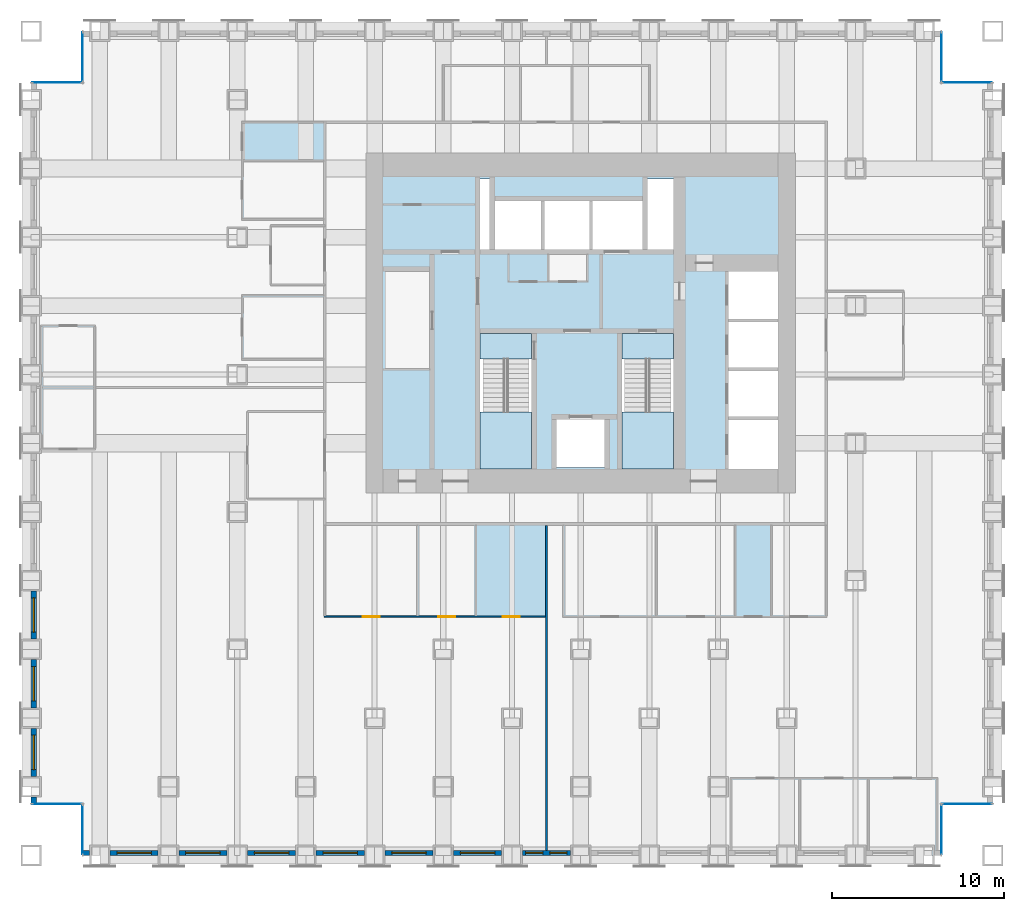
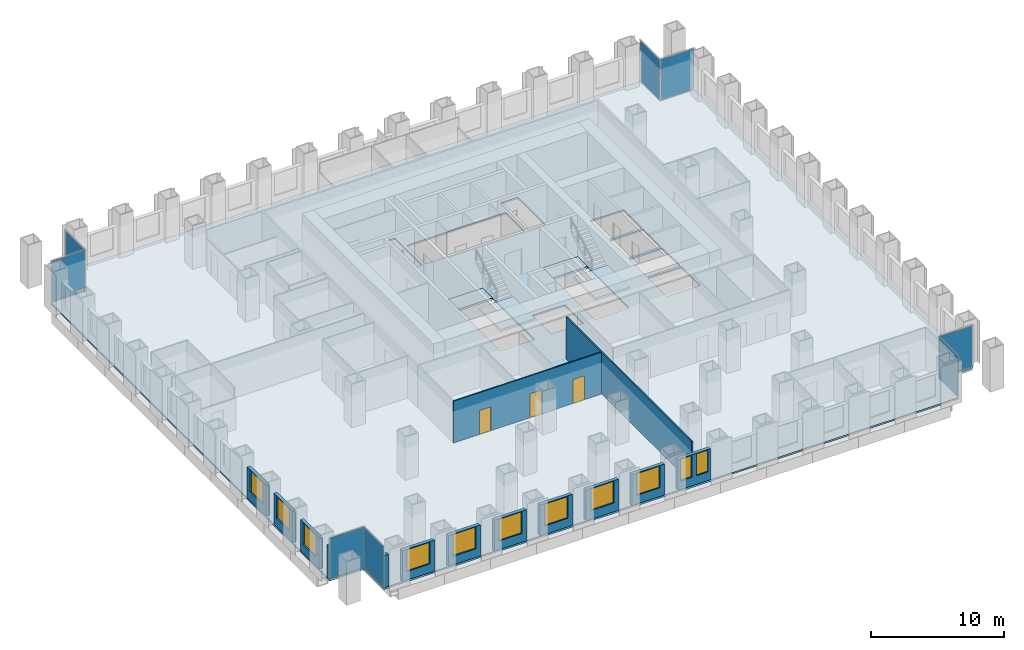
# One storey, part 8 of 15: 14 walls, 11 windows, 8 plates, 5 slabs, 3 doors, 14 openings, 10 elements without a shape of their own.
"""IFC4 building model written with IfcOpenShell, lengths in metres."""

from ifc_helpers import new_model, si_unit, direction, frame, frame_2d, origin, origin_2d, place, context, subcontext, project, spatial, polyline, rectangle, outline, extrude, material, layer, layer_set, type_object, element, fill, aggregate, save


model = new_model("IFC4")

# Units and contexts
model_context = context("Model", 3, precision=1e-05, world=origin(), true_north=direction((0.0, 1.0)))
body_context = subcontext(model_context, "Body", "Model", "MODEL_VIEW")
ifc_project = project(units=[si_unit("LENGTHUNIT", "METRE"), si_unit("AREAUNIT", "SQUARE_METRE"), si_unit("VOLUMEUNIT", "CUBIC_METRE"), si_unit("PLANEANGLEUNIT", "RADIAN"), si_unit("MASSUNIT", "GRAM", prefix="KILO")], contexts=[model_context])

# Site, building, storey
site_placement = place(None, origin())
site = spatial("IfcSite", under=ifc_project, at=site_placement, CompositionType="ELEMENT")
building_placement = place(site_placement, origin())
building = spatial("IfcBuilding", under=site, at=building_placement, Name="Rimbunsela Tower", CompositionType="ELEMENT")
storey_placement = place(building_placement, frame((0.0, 0.0, 31.0)))
storey = spatial("IfcBuildingStorey", under=building, at=storey_placement, Name="L07", CompositionType="ELEMENT", Elevation=31.0)

# Slab
ifc_material_1 = material(Name="Concrete fc' 35 MPa", Category="concrete")
ifc_layer_1 = layer(ifc_material_1, 0.14990234375)
ifc_layer_set_1 = layer_set([ifc_layer_1], Name="Floor slab 150")
slab_type_1 = type_object("IfcSlabType", Name="Floor slab 150", PredefinedType="FLOOR", material=ifc_layer_set_1)
slab_1_placement = place(storey_placement, frame((0.0, 0.0, -0.14990234375)))
element("IfcSlab", 1, at=slab_1_placement, inside=storey, type_object=slab_type_1, Name="Floor slab L07", PredefinedType="FLOOR", context=body_context, shape_type="SweptSolid", body=[
    extrude(outline(polyline([(1.0, -4.0), (51.0, -4.0), (51.0, -1.0), (54.0, -1.0), (54.0, 41.0), (51.0, 41.0), (51.0, 44.0), (1.0, 44.0), (1.0, 41.0), (-2.0, 41.0), (-2.0, -1.0), (1.0, -1.0), (1.0, -4.0)]), holes=[polyline([(27.14990234375, 18.60009765625), (27.14990234375, 26.39990234375), (24.14990234375, 26.39990234375), (24.14990234375, 18.60009765625), (27.14990234375, 18.60009765625)]), polyline([(24.699951171875, 31.300048828125), (24.699951171875, 35.39990234375), (24.14990234375, 35.39990234375), (24.14990234375, 31.300048828125), (24.699951171875, 31.300048828125)]), polyline([(25.0, 34.10009765625), (25.0, 31.300048828125), (33.60009765625, 31.300048828125), (33.60009765625, 34.10009765625), (25.0, 34.10009765625)]), polyline([(31.39990234375, 21.39990234375), (28.60009765625, 21.39990234375), (28.60009765625, 18.60009765625), (31.39990234375, 18.60009765625), (31.39990234375, 21.39990234375)]), polyline([(35.39990234375, 18.60009765625), (35.39990234375, 26.39990234375), (32.39990234375, 26.39990234375), (32.39990234375, 18.60009765625), (35.39990234375, 18.60009765625)]), polyline([(35.39990234375, 31.300048828125), (35.39990234375, 35.39990234375), (33.89990234375, 35.39990234375), (33.89990234375, 31.300048828125), (35.39990234375, 31.300048828125)]), polyline([(41.5, 21.35009765625), (38.60009765625, 21.35009765625), (38.60009765625, 18.5), (41.5, 18.5), (41.5, 21.35009765625)]), polyline([(41.5, 21.550048828125), (41.5, 24.199951171875), (38.60009765625, 24.199951171875), (38.60009765625, 21.550048828125), (41.5, 21.550048828125)]), polyline([(41.5, 27.050048828125), (38.60009765625, 27.050048828125), (38.60009765625, 24.39990234375), (41.5, 24.39990234375), (41.5, 27.050048828125)]), polyline([(41.5, 27.25), (41.5, 30.0), (38.60009765625, 30.0), (38.60009765625, 27.25), (41.5, 27.25)])]), origin(), (0.0, 0.0, 1.0), 0.14990234375),
])

# Curtain wall, plate
ifc_material_2 = material(Name="Aluminium curtain wall", Category="aluminium")
curtain_wall_type = type_object("IfcCurtainWallType", Name="Corner glazing", PredefinedType="USERDEFINED", material=ifc_material_2)
curtain_wall_1_placement = place(storey_placement, origin())
curtain_wall_1 = element("IfcCurtainWall", 2, at=curtain_wall_1_placement, inside=storey, type_object=curtain_wall_type, Name="Corner glazing L07", ObjectType="CORNER GLAZING", PredefinedType="USERDEFINED")
ifc_material_3 = material(Name="Clear double glazing", Category="glass")
ifc_layer_2 = layer(ifc_material_3, 0.028076171875)
ifc_layer_set_2 = layer_set([ifc_layer_2], Name="Glazed panel clear")
plate_type = type_object("IfcPlateType", Name="Glazed panel clear", PredefinedType="CURTAIN_PANEL", material=ifc_layer_set_2)
plate_1_placement = place(storey_placement, frame((51.0, -2.5, 0.06005859375), z_axis=(0.0, 0.0, 1.0), x_axis=(0.0, 1.0, 0.0)))
plate_1 = element("IfcPlate", 3, at=plate_1_placement, type_object=plate_type, Name="CW5 panel 1.1", PredefinedType="CURTAIN_PANEL", context=body_context, shape_type="SweptSolid", body=[
    extrude(rectangle(XDim=2.8798828125, YDim=0.028076171875, at=origin_2d()), origin(), (0.0, 0.0, 1.0), 3.72998046875),
])
aggregate(curtain_wall_1, [plate_1])

curtain_wall_2_placement = place(storey_placement, origin())
curtain_wall_2 = element("IfcCurtainWall", 4, at=curtain_wall_2_placement, inside=storey, type_object=curtain_wall_type, Name="Corner glazing L07", ObjectType="CORNER GLAZING", PredefinedType="USERDEFINED")
plate_2_placement = place(storey_placement, frame((52.5, -1.0, 0.06005859375), z_axis=(0.0, 0.0, 1.0), x_axis=(1.0, 0.0, 0.0)))
plate_2 = element("IfcPlate", 5, at=plate_2_placement, type_object=plate_type, Name="CW5 panel 1.1", PredefinedType="CURTAIN_PANEL", context=body_context, shape_type="SweptSolid", body=[
    extrude(rectangle(XDim=2.8798828125, YDim=0.028076171875, at=origin_2d()), origin(), (0.0, 0.0, 1.0), 3.72998046875),
])
aggregate(curtain_wall_2, [plate_2])

curtain_wall_3_placement = place(storey_placement, origin())
curtain_wall_3 = element("IfcCurtainWall", 6, at=curtain_wall_3_placement, inside=storey, type_object=curtain_wall_type, Name="Corner glazing L07", ObjectType="CORNER GLAZING", PredefinedType="USERDEFINED")
plate_3_placement = place(storey_placement, frame((52.5, 41.0, 0.06005859375), z_axis=(0.0, 0.0, 1.0), x_axis=(-1.0, 0.0, 0.0)))
plate_3 = element("IfcPlate", 7, at=plate_3_placement, type_object=plate_type, Name="CW5 panel 1.1", PredefinedType="CURTAIN_PANEL", context=body_context, shape_type="SweptSolid", body=[
    extrude(rectangle(XDim=2.8798828125, YDim=0.028076171875, at=origin_2d()), origin(), (0.0, 0.0, 1.0), 3.72998046875),
])
aggregate(curtain_wall_3, [plate_3])

curtain_wall_4_placement = place(storey_placement, origin())
curtain_wall_4 = element("IfcCurtainWall", 8, at=curtain_wall_4_placement, inside=storey, type_object=curtain_wall_type, Name="Corner glazing L07", ObjectType="CORNER GLAZING", PredefinedType="USERDEFINED")
plate_4_placement = place(storey_placement, frame((51.0, 42.5, 0.06005859375), z_axis=(0.0, 0.0, 1.0), x_axis=(0.0, 1.0, 0.0)))
plate_4 = element("IfcPlate", 9, at=plate_4_placement, type_object=plate_type, Name="CW5 panel 1.1", PredefinedType="CURTAIN_PANEL", context=body_context, shape_type="SweptSolid", body=[
    extrude(rectangle(XDim=2.8798828125, YDim=0.028076171875, at=origin_2d()), origin(), (0.0, 0.0, 1.0), 3.72998046875),
])
aggregate(curtain_wall_4, [plate_4])

curtain_wall_5_placement = place(storey_placement, origin())
curtain_wall_5 = element("IfcCurtainWall", 10, at=curtain_wall_5_placement, inside=storey, type_object=curtain_wall_type, Name="Corner glazing L07", ObjectType="CORNER GLAZING", PredefinedType="USERDEFINED")
plate_5_placement = place(storey_placement, frame((1.0, 42.5, 0.06005859375), z_axis=(0.0, 0.0, 1.0), x_axis=(0.0, -1.0, 0.0)))
plate_5 = element("IfcPlate", 11, at=plate_5_placement, type_object=plate_type, Name="CW5 panel 1.1", PredefinedType="CURTAIN_PANEL", context=body_context, shape_type="SweptSolid", body=[
    extrude(rectangle(XDim=2.8798828125, YDim=0.028076171875, at=origin_2d()), origin(), (0.0, 0.0, 1.0), 3.72998046875),
])
aggregate(curtain_wall_5, [plate_5])

curtain_wall_6_placement = place(storey_placement, origin())
curtain_wall_6 = element("IfcCurtainWall", 12, at=curtain_wall_6_placement, inside=storey, type_object=curtain_wall_type, Name="Corner glazing L07", ObjectType="CORNER GLAZING", PredefinedType="USERDEFINED")
plate_6_placement = place(storey_placement, frame((-0.5, 41.0, 0.06005859375), z_axis=(0.0, 0.0, 1.0), x_axis=(-1.0, 0.0, 0.0)))
plate_6 = element("IfcPlate", 13, at=plate_6_placement, type_object=plate_type, Name="CW5 panel 1.1", PredefinedType="CURTAIN_PANEL", context=body_context, shape_type="SweptSolid", body=[
    extrude(rectangle(XDim=2.8798828125, YDim=0.028076171875, at=origin_2d()), origin(), (0.0, 0.0, 1.0), 3.72998046875),
])
aggregate(curtain_wall_6, [plate_6])

curtain_wall_7_placement = place(storey_placement, origin())
curtain_wall_7 = element("IfcCurtainWall", 14, at=curtain_wall_7_placement, inside=storey, type_object=curtain_wall_type, Name="Corner glazing L07", ObjectType="CORNER GLAZING", PredefinedType="USERDEFINED")
plate_7_placement = place(storey_placement, frame((-0.5, -1.0, 0.06005859375), z_axis=(0.0, 0.0, 1.0), x_axis=(1.0, 0.0, 0.0)))
plate_7 = element("IfcPlate", 15, at=plate_7_placement, type_object=plate_type, Name="CW5 panel 1.1", PredefinedType="CURTAIN_PANEL", context=body_context, shape_type="SweptSolid", body=[
    extrude(rectangle(XDim=2.8798828125, YDim=0.028076171875, at=origin_2d()), origin(), (0.0, 0.0, 1.0), 3.72998046875),
])
aggregate(curtain_wall_7, [plate_7])

curtain_wall_8_placement = place(storey_placement, origin())
curtain_wall_8 = element("IfcCurtainWall", 16, at=curtain_wall_8_placement, inside=storey, type_object=curtain_wall_type, Name="Corner glazing L07", ObjectType="CORNER GLAZING", PredefinedType="USERDEFINED")
plate_8_placement = place(storey_placement, frame((1.0, -2.5, 0.06005859375), z_axis=(0.0, 0.0, 1.0), x_axis=(0.0, -1.0, 0.0)))
plate_8 = element("IfcPlate", 17, at=plate_8_placement, type_object=plate_type, Name="CW5 panel 1.1", PredefinedType="CURTAIN_PANEL", context=body_context, shape_type="SweptSolid", body=[
    extrude(rectangle(XDim=2.8798828125, YDim=0.028076171875, at=origin_2d()), origin(), (0.0, 0.0, 1.0), 3.72998046875),
])
aggregate(curtain_wall_8, [plate_8])

# Stair, slabs
ifc_material_4 = material(Name="Concrete fc' 35 MPa", Category="concrete")
stair_type = type_object("IfcStairType", Name="Exit stair 24 risers", PredefinedType="HALF_TURN_STAIR", material=ifc_material_4)
stair_1_placement = place(storey_placement, origin())
stair_1 = element("IfcStair", 18, at=stair_1_placement, inside=storey, type_object=stair_type, Name="Exit stair A L07", PredefinedType="HALF_TURN_STAIR")
ifc_material_5 = material(Name="Concrete fc' 35 MPa", Category="concrete")
ifc_layer_3 = layer(ifc_material_5, 0.199951171875)
ifc_layer_set_3 = layer_set([ifc_layer_3], Name="Stair landing 200")
slab_type_2 = type_object("IfcSlabType", Name="Stair landing 200", PredefinedType="LANDING", material=ifc_layer_set_3)
slab_2_placement = place(storey_placement, frame((0.0, 0.0, -0.199951171875)))
slab_2 = element("IfcSlab", 19, at=slab_2_placement, type_object=slab_type_2, Name="ST-A landing 1", PredefinedType="LANDING", context=body_context, shape_type="SweptSolid", body=[
    extrude(outline(polyline([(24.14990234375, 24.89990234375), (27.14990234375, 24.89990234375), (27.14990234375, 26.39990234375), (24.14990234375, 26.39990234375), (24.14990234375, 24.89990234375)])), origin(), (0.0, 0.0, 1.0), 0.199951171875),
])
slab_3_placement = place(storey_placement, frame((0.0, 0.0, 1.800048828125)))
slab_3 = element("IfcSlab", 20, at=slab_3_placement, type_object=slab_type_2, Name="ST-A landing 2", PredefinedType="LANDING", context=body_context, shape_type="SweptSolid", body=[
    extrude(outline(polyline([(24.14990234375, 18.5), (27.14990234375, 18.5), (27.14990234375, 21.820068359375), (24.14990234375, 21.820068359375), (24.14990234375, 18.5)])), origin(), (0.0, 0.0, 1.0), 0.199951171875),
])
aggregate(stair_1, [slab_2, slab_3])

stair_2_placement = place(storey_placement, origin())
stair_2 = element("IfcStair", 21, at=stair_2_placement, inside=storey, type_object=stair_type, Name="Exit stair B L07", PredefinedType="HALF_TURN_STAIR")
slab_4_placement = place(storey_placement, frame((0.0, 0.0, -0.199951171875)))
slab_4 = element("IfcSlab", 22, at=slab_4_placement, type_object=slab_type_2, Name="ST-B landing 1", PredefinedType="LANDING", context=body_context, shape_type="SweptSolid", body=[
    extrude(outline(polyline([(32.39990234375, 24.89990234375), (35.39990234375, 24.89990234375), (35.39990234375, 26.39990234375), (32.39990234375, 26.39990234375), (32.39990234375, 24.89990234375)])), origin(), (0.0, 0.0, 1.0), 0.199951171875),
])
slab_5_placement = place(storey_placement, frame((0.0, 0.0, 1.800048828125)))
slab_5 = element("IfcSlab", 23, at=slab_5_placement, type_object=slab_type_2, Name="ST-B landing 2", PredefinedType="LANDING", context=body_context, shape_type="SweptSolid", body=[
    extrude(outline(polyline([(32.39990234375, 18.5), (35.39990234375, 18.5), (35.39990234375, 21.820068359375), (32.39990234375, 21.820068359375), (32.39990234375, 18.5)])), origin(), (0.0, 0.0, 1.0), 0.199951171875),
])
aggregate(stair_2, [slab_4, slab_5])

# Wall, openings, doors
ifc_material_6 = material(Name="Gypsum board on steel studs", Category="steel")
ifc_layer_4 = layer(ifc_material_6, 0.10009765625)
ifc_layer_set_4 = layer_set([ifc_layer_4], Name="Office partition 100")
wall_type_1 = type_object("IfcWallType", Name="Office partition 100", PredefinedType="PARTITIONING", material=ifc_layer_set_4)
wall_1_placement = place(storey_placement, frame((15.050048828125, 9.89990234375, 0.0), z_axis=(0.0, 0.0, 1.0), x_axis=(1.0, 0.0, 0.0)))
wall_1 = element("IfcWall", 24, at=wall_1_placement, inside=storey, type_object=wall_type_1, Name="Office partition", PredefinedType="PARTITIONING", context=body_context, shape_type="SweptSolid", body=[
    extrude(rectangle(XDim=12.888916015625, YDim=0.10009765625, at=frame_2d((6.4443359375, 0.0))), origin(), (0.0, 0.0, 1.0), 3.85009765625),
])
opening_1_placement = place(wall_1_placement, frame((2.25, 0.0, 0.0)))
opening_1 = element("IfcOpeningElement", 25, at=opening_1_placement, cuts=wall_1, Name="Opening D17", PredefinedType="OPENING", context=body_context, shape_type="SweptSolid", body=[
    extrude(rectangle(XDim=1.0, YDim=2.199951171875, at=frame_2d((0.5, 1.10009765625))), frame((0.0, 0.06005859375, 0.0), z_axis=(0.0, -1.0, 0.0), x_axis=(1.0, 0.0, 0.0)), (0.0, 0.0, 1.0), 0.1201171875),
])
opening_2_placement = place(wall_1_placement, frame((6.64990234375, 0.0, 0.0)))
opening_2 = element("IfcOpeningElement", 26, at=opening_2_placement, cuts=wall_1, Name="Opening D16", PredefinedType="OPENING", context=body_context, shape_type="SweptSolid", body=[
    extrude(rectangle(XDim=1.0, YDim=2.199951171875, at=frame_2d((0.5, 1.10009765625))), frame((0.0, 0.06005859375, 0.0), z_axis=(0.0, -1.0, 0.0), x_axis=(1.0, 0.0, 0.0)), (0.0, 0.0, 1.0), 0.1201171875),
])
opening_3_placement = place(wall_1_placement, frame((10.3994140625, 0.0, 0.0)))
opening_3 = element("IfcOpeningElement", 27, at=opening_3_placement, cuts=wall_1, Name="Opening D16", PredefinedType="OPENING", context=body_context, shape_type="SweptSolid", body=[
    extrude(rectangle(XDim=1.0, YDim=2.199951171875, at=frame_2d((0.5, 1.10009765625))), frame((0.0, 0.06005859375, 0.0), z_axis=(0.0, -1.0, 0.0), x_axis=(1.0, 0.0, 0.0)), (0.0, 0.0, 1.0), 0.1201171875),
])
ifc_material_7 = material(Name="Glazed aluminium door", Category="aluminium")
door_type_1 = type_object("IfcDoorType", Name="Meeting room door 1000 glazed", OperationType="SINGLE_SWING_RIGHT", PredefinedType="DOOR", material=ifc_material_7)
door_1_placement = place(opening_1_placement, origin())
door_1 = element("IfcDoor", 28, at=door_1_placement, inside=storey, type_object=door_type_1, Name="Meeting room door", OperationType="SINGLE_SWING_RIGHT", OverallHeight=2.199951171875, OverallWidth=1.0, PredefinedType="DOOR", context=body_context, shape_type="SweptSolid", body=[
    extrude(rectangle(XDim=1.0, YDim=2.199951171875, at=frame_2d((0.5, 1.10009765625))), frame((0.0, 0.02490234375, 0.0), z_axis=(0.0, -1.0, 0.0), x_axis=(1.0, 0.0, 0.0)), (0.0, 0.0, 1.0), 0.050048828125),
])
fill(opening_1, door_1)
ifc_material_8 = material(Name="Timber door", Category="wood")
door_type_2 = type_object("IfcDoorType", Name="Office door 1000", OperationType="SINGLE_SWING_LEFT", PredefinedType="DOOR", material=ifc_material_8)
door_2_placement = place(opening_2_placement, origin())
door_2 = element("IfcDoor", 29, at=door_2_placement, inside=storey, type_object=door_type_2, Name="Office door", OperationType="SINGLE_SWING_LEFT", OverallHeight=2.199951171875, OverallWidth=1.0, PredefinedType="DOOR", context=body_context, shape_type="SweptSolid", body=[
    extrude(rectangle(XDim=1.0, YDim=2.199951171875, at=frame_2d((0.5, 1.10009765625))), frame((0.0, 0.02490234375, 0.0), z_axis=(0.0, -1.0, 0.0), x_axis=(1.0, 0.0, 0.0)), (0.0, 0.0, 1.0), 0.050048828125),
])
fill(opening_2, door_2)
door_3_placement = place(opening_3_placement, origin())
door_3 = element("IfcDoor", 30, at=door_3_placement, inside=storey, type_object=door_type_2, Name="Office door", OperationType="SINGLE_SWING_LEFT", OverallHeight=2.199951171875, OverallWidth=1.0, PredefinedType="DOOR", context=body_context, shape_type="SweptSolid", body=[
    extrude(rectangle(XDim=1.0, YDim=2.199951171875, at=frame_2d((0.5, 1.10009765625))), frame((0.0, 0.02490234375, 0.0), z_axis=(0.0, -1.0, 0.0), x_axis=(1.0, 0.0, 0.0)), (0.0, 0.0, 1.0), 0.050048828125),
])
fill(opening_3, door_3)

# Wall
ifc_material_9 = material(Name="Precast concrete fc' 35 MPa", Category="concrete")
ifc_layer_5 = layer(ifc_material_9, 0.300048828125)
ifc_layer_set_5 = layer_set([ifc_layer_5], Name="Precast concrete fc' 35 MPa")
wall_type_2 = type_object("IfcWallType", Name="Precast facade panel 300", PredefinedType="ELEMENTEDWALL", material=ifc_layer_set_5)
wall_2_placement = place(storey_placement, frame((1.030029296875, -3.85009765625, 0.0), z_axis=(0.0, 0.0, 1.0), x_axis=(1.0, 0.0, 0.0)))
element("IfcWall", 31, at=wall_2_placement, inside=storey, type_object=wall_type_2, Name="Facade panel S L07", PredefinedType="ELEMENTEDWALL", context=body_context, shape_type="SweptSolid", body=[
    extrude(rectangle(XDim=0.369873046875, YDim=0.300048828125, at=frame_2d((0.18505859375, 0.0))), origin(), (0.0, 0.0, 1.0), 2.949951171875),
])

# Wall, opening, window
wall_3_placement = place(storey_placement, frame((2.60009765625, -3.85009765625, 0.0), z_axis=(0.0, 0.0, 1.0), x_axis=(1.0, 0.0, 0.0)))
wall_3 = element("IfcWall", 32, at=wall_3_placement, inside=storey, type_object=wall_type_2, Name="Facade panel S L07", PredefinedType="ELEMENTEDWALL", context=body_context, shape_type="SweptSolid", body=[
    extrude(rectangle(XDim=2.7998046875, YDim=0.300048828125, at=frame_2d((1.39990234375, 0.0))), origin(), (0.0, 0.0, 1.0), 2.85009765625),
])
opening_4_placement = place(wall_3_placement, frame((0.39990234375, 0.0, 0.800048828125)))
opening_4 = element("IfcOpeningElement", 33, at=opening_4_placement, cuts=wall_3, Name="Opening W1", PredefinedType="OPENING", context=body_context, shape_type="SweptSolid", body=[
    extrude(rectangle(XDim=2.0, YDim=2.0, at=frame_2d((1.0, 1.0))), frame((0.0, 0.159912109375, 0.0), z_axis=(0.0, -1.0, 0.0), x_axis=(1.0, 0.0, 0.0)), (0.0, 0.0, 1.0), 0.320068359375),
])
ifc_material_10 = material(Name="Clear glass in aluminium frame", Category="aluminium")
window_type_1 = type_object("IfcWindowType", Name="Window W1 2000x2000", PartitioningType="DOUBLE_PANEL_VERTICAL", PredefinedType="WINDOW", material=ifc_material_10)
window_1_placement = place(opening_4_placement, origin())
window_1 = element("IfcWindow", 34, at=window_1_placement, inside=storey, type_object=window_type_1, Name="Window L07", OverallHeight=2.0, OverallWidth=2.0, PartitioningType="SINGLE_PANEL", PredefinedType="WINDOW", context=body_context, shape_type="SweptSolid", body=[
    extrude(rectangle(XDim=2.0, YDim=2.0, at=frame_2d((1.0, 1.0))), frame((0.0, 0.030029296875, 0.0), z_axis=(0.0, -1.0, 0.0), x_axis=(1.0, 0.0, 0.0)), (0.0, 0.0, 1.0), 0.06005859375),
])
fill(opening_4, window_1)

wall_4_placement = place(storey_placement, frame((6.60009765625, -3.85009765625, 0.0), z_axis=(0.0, 0.0, 1.0), x_axis=(1.0, 0.0, 0.0)))
wall_4 = element("IfcWall", 35, at=wall_4_placement, inside=storey, type_object=wall_type_2, Name="Facade panel S L07", PredefinedType="ELEMENTEDWALL", context=body_context, shape_type="SweptSolid", body=[
    extrude(rectangle(XDim=2.7998046875, YDim=0.300048828125, at=frame_2d((1.39990234375, 0.0))), origin(), (0.0, 0.0, 1.0), 2.85009765625),
])
opening_5_placement = place(wall_4_placement, frame((0.39990234375, 0.0, 0.800048828125)))
opening_5 = element("IfcOpeningElement", 36, at=opening_5_placement, cuts=wall_4, Name="Opening W1", PredefinedType="OPENING", context=body_context, shape_type="SweptSolid", body=[
    extrude(rectangle(XDim=2.0, YDim=2.0, at=frame_2d((1.0, 1.0))), frame((0.0, 0.159912109375, 0.0), z_axis=(0.0, -1.0, 0.0), x_axis=(1.0, 0.0, 0.0)), (0.0, 0.0, 1.0), 0.320068359375),
])
window_2_placement = place(opening_5_placement, origin())
window_2 = element("IfcWindow", 37, at=window_2_placement, inside=storey, type_object=window_type_1, Name="Window L07", OverallHeight=2.0, OverallWidth=2.0, PartitioningType="SINGLE_PANEL", PredefinedType="WINDOW", context=body_context, shape_type="SweptSolid", body=[
    extrude(rectangle(XDim=2.0, YDim=2.0, at=frame_2d((1.0, 1.0))), frame((0.0, 0.030029296875, 0.0), z_axis=(0.0, -1.0, 0.0), x_axis=(1.0, 0.0, 0.0)), (0.0, 0.0, 1.0), 0.06005859375),
])
fill(opening_5, window_2)

wall_5_placement = place(storey_placement, frame((10.60009765625, -3.85009765625, 0.0), z_axis=(0.0, 0.0, 1.0), x_axis=(1.0, 0.0, 0.0)))
wall_5 = element("IfcWall", 38, at=wall_5_placement, inside=storey, type_object=wall_type_2, Name="Facade panel S L07", PredefinedType="ELEMENTEDWALL", context=body_context, shape_type="SweptSolid", body=[
    extrude(rectangle(XDim=2.7998046875, YDim=0.300048828125, at=frame_2d((1.39990234375, 0.0))), origin(), (0.0, 0.0, 1.0), 2.85009765625),
])
opening_6_placement = place(wall_5_placement, frame((0.39990234375, 0.0, 0.800048828125)))
opening_6 = element("IfcOpeningElement", 39, at=opening_6_placement, cuts=wall_5, Name="Opening W1", PredefinedType="OPENING", context=body_context, shape_type="SweptSolid", body=[
    extrude(rectangle(XDim=2.0, YDim=2.0, at=frame_2d((1.0, 1.0))), frame((0.0, 0.159912109375, 0.0), z_axis=(0.0, -1.0, 0.0), x_axis=(1.0, 0.0, 0.0)), (0.0, 0.0, 1.0), 0.320068359375),
])
window_3_placement = place(opening_6_placement, origin())
window_3 = element("IfcWindow", 40, at=window_3_placement, inside=storey, type_object=window_type_1, Name="Window L07", OverallHeight=2.0, OverallWidth=2.0, PartitioningType="SINGLE_PANEL", PredefinedType="WINDOW", context=body_context, shape_type="SweptSolid", body=[
    extrude(rectangle(XDim=2.0, YDim=2.0, at=frame_2d((1.0, 1.0))), frame((0.0, 0.030029296875, 0.0), z_axis=(0.0, -1.0, 0.0), x_axis=(1.0, 0.0, 0.0)), (0.0, 0.0, 1.0), 0.06005859375),
])
fill(opening_6, window_3)

wall_6_placement = place(storey_placement, frame((14.60009765625, -3.85009765625, 0.0), z_axis=(0.0, 0.0, 1.0), x_axis=(1.0, 0.0, 0.0)))
wall_6 = element("IfcWall", 41, at=wall_6_placement, inside=storey, type_object=wall_type_2, Name="Facade panel S L07", PredefinedType="ELEMENTEDWALL", context=body_context, shape_type="SweptSolid", body=[
    extrude(rectangle(XDim=2.7998046875, YDim=0.300048828125, at=frame_2d((1.39990234375, 0.0))), origin(), (0.0, 0.0, 1.0), 2.85009765625),
])
opening_7_placement = place(wall_6_placement, frame((0.39990234375, 0.0, 0.800048828125)))
opening_7 = element("IfcOpeningElement", 42, at=opening_7_placement, cuts=wall_6, Name="Opening W1", PredefinedType="OPENING", context=body_context, shape_type="SweptSolid", body=[
    extrude(rectangle(XDim=2.0, YDim=2.0, at=frame_2d((1.0, 1.0))), frame((0.0, 0.159912109375, 0.0), z_axis=(0.0, -1.0, 0.0), x_axis=(1.0, 0.0, 0.0)), (0.0, 0.0, 1.0), 0.320068359375),
])
window_4_placement = place(opening_7_placement, origin())
window_4 = element("IfcWindow", 43, at=window_4_placement, inside=storey, type_object=window_type_1, Name="Window L07", OverallHeight=2.0, OverallWidth=2.0, PartitioningType="SINGLE_PANEL", PredefinedType="WINDOW", context=body_context, shape_type="SweptSolid", body=[
    extrude(rectangle(XDim=2.0, YDim=2.0, at=frame_2d((1.0, 1.0))), frame((0.0, 0.030029296875, 0.0), z_axis=(0.0, -1.0, 0.0), x_axis=(1.0, 0.0, 0.0)), (0.0, 0.0, 1.0), 0.06005859375),
])
fill(opening_7, window_4)

wall_7_placement = place(storey_placement, frame((18.60009765625, -3.85009765625, 0.0), z_axis=(0.0, 0.0, 1.0), x_axis=(1.0, 0.0, 0.0)))
wall_7 = element("IfcWall", 44, at=wall_7_placement, inside=storey, type_object=wall_type_2, Name="Facade panel S L07", PredefinedType="ELEMENTEDWALL", context=body_context, shape_type="SweptSolid", body=[
    extrude(rectangle(XDim=2.7998046875, YDim=0.300048828125, at=frame_2d((1.39990234375, 0.0))), origin(), (0.0, 0.0, 1.0), 2.85009765625),
])
opening_8_placement = place(wall_7_placement, frame((0.39990234375, 0.0, 0.800048828125)))
opening_8 = element("IfcOpeningElement", 45, at=opening_8_placement, cuts=wall_7, Name="Opening W1", PredefinedType="OPENING", context=body_context, shape_type="SweptSolid", body=[
    extrude(rectangle(XDim=2.0, YDim=2.0, at=frame_2d((1.0, 1.0))), frame((0.0, 0.159912109375, 0.0), z_axis=(0.0, -1.0, 0.0), x_axis=(1.0, 0.0, 0.0)), (0.0, 0.0, 1.0), 0.320068359375),
])
window_5_placement = place(opening_8_placement, origin())
window_5 = element("IfcWindow", 46, at=window_5_placement, inside=storey, type_object=window_type_1, Name="Window L07", OverallHeight=2.0, OverallWidth=2.0, PartitioningType="SINGLE_PANEL", PredefinedType="WINDOW", context=body_context, shape_type="SweptSolid", body=[
    extrude(rectangle(XDim=2.0, YDim=2.0, at=frame_2d((1.0, 1.0))), frame((0.0, 0.030029296875, 0.0), z_axis=(0.0, -1.0, 0.0), x_axis=(1.0, 0.0, 0.0)), (0.0, 0.0, 1.0), 0.06005859375),
])
fill(opening_8, window_5)

wall_8_placement = place(storey_placement, frame((22.60009765625, -3.85009765625, 0.0), z_axis=(0.0, 0.0, 1.0), x_axis=(1.0, 0.0, 0.0)))
wall_8 = element("IfcWall", 47, at=wall_8_placement, inside=storey, type_object=wall_type_2, Name="Facade panel S L07", PredefinedType="ELEMENTEDWALL", context=body_context, shape_type="SweptSolid", body=[
    extrude(rectangle(XDim=2.7998046875, YDim=0.300048828125, at=frame_2d((1.39990234375, 0.0))), origin(), (0.0, 0.0, 1.0), 2.85009765625),
])
opening_9_placement = place(wall_8_placement, frame((0.39990234375, 0.0, 0.800048828125)))
opening_9 = element("IfcOpeningElement", 48, at=opening_9_placement, cuts=wall_8, Name="Opening W1", PredefinedType="OPENING", context=body_context, shape_type="SweptSolid", body=[
    extrude(rectangle(XDim=2.0, YDim=2.0, at=frame_2d((1.0, 1.0))), frame((0.0, 0.159912109375, 0.0), z_axis=(0.0, -1.0, 0.0), x_axis=(1.0, 0.0, 0.0)), (0.0, 0.0, 1.0), 0.320068359375),
])
window_6_placement = place(opening_9_placement, origin())
window_6 = element("IfcWindow", 49, at=window_6_placement, inside=storey, type_object=window_type_1, Name="Window L07", OverallHeight=2.0, OverallWidth=2.0, PartitioningType="SINGLE_PANEL", PredefinedType="WINDOW", context=body_context, shape_type="SweptSolid", body=[
    extrude(rectangle(XDim=2.0, YDim=2.0, at=frame_2d((1.0, 1.0))), frame((0.0, 0.030029296875, 0.0), z_axis=(0.0, -1.0, 0.0), x_axis=(1.0, 0.0, 0.0)), (0.0, 0.0, 1.0), 0.06005859375),
])
fill(opening_9, window_6)

# Wall, openings, windows
wall_9_placement = place(storey_placement, frame((26.60009765625, -3.85009765625, 0.0), z_axis=(0.0, 0.0, 1.0), x_axis=(1.0, 0.0, 0.0)))
wall_9 = element("IfcWall", 50, at=wall_9_placement, inside=storey, type_object=wall_type_2, Name="Facade panel S L07", PredefinedType="ELEMENTEDWALL", context=body_context, shape_type="SweptSolid", body=[
    extrude(rectangle(XDim=2.7998046875, YDim=0.300048828125, at=frame_2d((1.39990234375, 0.0))), origin(), (0.0, 0.0, 1.0), 2.85009765625),
])
opening_10_placement = place(wall_9_placement, frame((0.199951171875, 0.0, 0.800048828125)))
opening_10 = element("IfcOpeningElement", 51, at=opening_10_placement, cuts=wall_9, Name="Opening W5", PredefinedType="OPENING", context=body_context, shape_type="SweptSolid", body=[
    extrude(rectangle(XDim=1.0, YDim=2.0, at=frame_2d((0.5, 1.0))), frame((0.0, 0.159912109375, 0.0), z_axis=(0.0, -1.0, 0.0), x_axis=(1.0, 0.0, 0.0)), (0.0, 0.0, 1.0), 0.320068359375),
])
opening_11_placement = place(wall_9_placement, frame((1.60009765625, 0.0, 0.800048828125)))
opening_11 = element("IfcOpeningElement", 52, at=opening_11_placement, cuts=wall_9, Name="Opening W5", PredefinedType="OPENING", context=body_context, shape_type="SweptSolid", body=[
    extrude(rectangle(XDim=1.0, YDim=2.0, at=frame_2d((0.5, 1.0))), frame((0.0, 0.159912109375, 0.0), z_axis=(0.0, -1.0, 0.0), x_axis=(1.0, 0.0, 0.0)), (0.0, 0.0, 1.0), 0.320068359375),
])
ifc_material_11 = material(Name="Clear glass in aluminium frame", Category="aluminium")
window_type_2 = type_object("IfcWindowType", Name="Window W5 1000x2000", PartitioningType="SINGLE_PANEL", PredefinedType="WINDOW", material=ifc_material_11)
window_7_placement = place(opening_10_placement, origin())
window_7 = element("IfcWindow", 53, at=window_7_placement, inside=storey, type_object=window_type_2, Name="Window L07", OverallHeight=2.0, OverallWidth=1.0, PartitioningType="SINGLE_PANEL", PredefinedType="WINDOW", context=body_context, shape_type="SweptSolid", body=[
    extrude(rectangle(XDim=1.0, YDim=2.0, at=frame_2d((0.5, 1.0))), frame((0.0, 0.030029296875, 0.0), z_axis=(0.0, -1.0, 0.0), x_axis=(1.0, 0.0, 0.0)), (0.0, 0.0, 1.0), 0.06005859375),
])
fill(opening_10, window_7)
window_8_placement = place(opening_11_placement, origin())
window_8 = element("IfcWindow", 54, at=window_8_placement, inside=storey, type_object=window_type_2, Name="Window L07", OverallHeight=2.0, OverallWidth=1.0, PartitioningType="SINGLE_PANEL", PredefinedType="WINDOW", context=body_context, shape_type="SweptSolid", body=[
    extrude(rectangle(XDim=1.0, YDim=2.0, at=frame_2d((0.5, 1.0))), frame((0.0, 0.030029296875, 0.0), z_axis=(0.0, -1.0, 0.0), x_axis=(1.0, 0.0, 0.0)), (0.0, 0.0, 1.0), 0.06005859375),
])
fill(opening_11, window_8)

# Wall
wall_10_placement = place(storey_placement, frame((-1.85009765625, -0.60009765625, 0.0), z_axis=(0.0, 0.0, 1.0), x_axis=(0.0, -1.0, 0.0)))
element("IfcWall", 55, at=wall_10_placement, inside=storey, type_object=wall_type_2, Name="Facade panel W L07", PredefinedType="ELEMENTEDWALL", context=body_context, shape_type="SweptSolid", body=[
    extrude(rectangle(XDim=0.369873046875, YDim=0.300048828125, at=frame_2d((0.18505859375, 0.0))), origin(), (0.0, 0.0, 1.0), 2.949951171875),
])

# Wall, opening, window
wall_11_placement = place(storey_placement, frame((-1.85009765625, 3.39990234375, 0.0), z_axis=(0.0, 0.0, 1.0), x_axis=(0.0, -1.0, 0.0)))
wall_11 = element("IfcWall", 56, at=wall_11_placement, inside=storey, type_object=wall_type_2, Name="Facade panel W L07", PredefinedType="ELEMENTEDWALL", context=body_context, shape_type="SweptSolid", body=[
    extrude(rectangle(XDim=2.7998046875, YDim=0.300048828125, at=frame_2d((1.39990234375, 0.0))), origin(), (0.0, 0.0, 1.0), 2.85009765625),
])
opening_12_placement = place(wall_11_placement, frame((0.39990234375, 0.0, 0.800048828125)))
opening_12 = element("IfcOpeningElement", 57, at=opening_12_placement, cuts=wall_11, Name="Opening W1", PredefinedType="OPENING", context=body_context, shape_type="SweptSolid", body=[
    extrude(rectangle(XDim=2.0, YDim=2.0, at=frame_2d((1.0, 1.0))), frame((0.0, 0.159912109375, 0.0), z_axis=(0.0, -1.0, 0.0), x_axis=(1.0, 0.0, 0.0)), (0.0, 0.0, 1.0), 0.320068359375),
])
window_9_placement = place(opening_12_placement, origin())
window_9 = element("IfcWindow", 58, at=window_9_placement, inside=storey, type_object=window_type_1, Name="Window L07", OverallHeight=2.0, OverallWidth=2.0, PartitioningType="SINGLE_PANEL", PredefinedType="WINDOW", context=body_context, shape_type="SweptSolid", body=[
    extrude(rectangle(XDim=2.0, YDim=2.0, at=frame_2d((1.0, 1.0))), frame((0.0, 0.030029296875, 0.0), z_axis=(0.0, -1.0, 0.0), x_axis=(1.0, 0.0, 0.0)), (0.0, 0.0, 1.0), 0.06005859375),
])
fill(opening_12, window_9)

wall_12_placement = place(storey_placement, frame((-1.85009765625, 7.39990234375, 0.0), z_axis=(0.0, 0.0, 1.0), x_axis=(0.0, -1.0, 0.0)))
wall_12 = element("IfcWall", 59, at=wall_12_placement, inside=storey, type_object=wall_type_2, Name="Facade panel W L07", PredefinedType="ELEMENTEDWALL", context=body_context, shape_type="SweptSolid", body=[
    extrude(rectangle(XDim=2.7998046875, YDim=0.300048828125, at=frame_2d((1.39990234375, 0.0))), origin(), (0.0, 0.0, 1.0), 2.85009765625),
])
opening_13_placement = place(wall_12_placement, frame((0.39990234375, 0.0, 0.800048828125)))
opening_13 = element("IfcOpeningElement", 60, at=opening_13_placement, cuts=wall_12, Name="Opening W1", PredefinedType="OPENING", context=body_context, shape_type="SweptSolid", body=[
    extrude(rectangle(XDim=2.0, YDim=2.0, at=frame_2d((1.0, 1.0))), frame((0.0, 0.159912109375, 0.0), z_axis=(0.0, -1.0, 0.0), x_axis=(1.0, 0.0, 0.0)), (0.0, 0.0, 1.0), 0.320068359375),
])
window_10_placement = place(opening_13_placement, origin())
window_10 = element("IfcWindow", 61, at=window_10_placement, inside=storey, type_object=window_type_1, Name="Window L07", OverallHeight=2.0, OverallWidth=2.0, PartitioningType="SINGLE_PANEL", PredefinedType="WINDOW", context=body_context, shape_type="SweptSolid", body=[
    extrude(rectangle(XDim=2.0, YDim=2.0, at=frame_2d((1.0, 1.0))), frame((0.0, 0.030029296875, 0.0), z_axis=(0.0, -1.0, 0.0), x_axis=(1.0, 0.0, 0.0)), (0.0, 0.0, 1.0), 0.06005859375),
])
fill(opening_13, window_10)

wall_13_placement = place(storey_placement, frame((-1.85009765625, 11.39990234375, 0.0), z_axis=(0.0, 0.0, 1.0), x_axis=(0.0, -1.0, 0.0)))
wall_13 = element("IfcWall", 62, at=wall_13_placement, inside=storey, type_object=wall_type_2, Name="Facade panel W L07", PredefinedType="ELEMENTEDWALL", context=body_context, shape_type="SweptSolid", body=[
    extrude(rectangle(XDim=2.7998046875, YDim=0.300048828125, at=frame_2d((1.39990234375, 0.0))), origin(), (0.0, 0.0, 1.0), 2.85009765625),
])
opening_14_placement = place(wall_13_placement, frame((0.39990234375, 0.0, 0.800048828125)))
opening_14 = element("IfcOpeningElement", 63, at=opening_14_placement, cuts=wall_13, Name="Opening W1", PredefinedType="OPENING", context=body_context, shape_type="SweptSolid", body=[
    extrude(rectangle(XDim=2.0, YDim=2.0, at=frame_2d((1.0, 1.0))), frame((0.0, 0.159912109375, 0.0), z_axis=(0.0, -1.0, 0.0), x_axis=(1.0, 0.0, 0.0)), (0.0, 0.0, 1.0), 0.320068359375),
])
window_11_placement = place(opening_14_placement, origin())
window_11 = element("IfcWindow", 64, at=window_11_placement, inside=storey, type_object=window_type_1, Name="Window L07", OverallHeight=2.0, OverallWidth=2.0, PartitioningType="SINGLE_PANEL", PredefinedType="WINDOW", context=body_context, shape_type="SweptSolid", body=[
    extrude(rectangle(XDim=2.0, YDim=2.0, at=frame_2d((1.0, 1.0))), frame((0.0, 0.030029296875, 0.0), z_axis=(0.0, -1.0, 0.0), x_axis=(1.0, 0.0, 0.0)), (0.0, 0.0, 1.0), 0.06005859375),
])
fill(opening_14, window_11)

# Wall
ifc_material_12 = material(Name="Gypsum board on steel studs", Category="steel")
ifc_layer_6 = layer(ifc_material_12, 0.1201171875)
ifc_layer_set_6 = layer_set([ifc_layer_6], Name="Tenancy partition 120")
wall_type_3 = type_object("IfcWallType", Name="Tenancy partition 120", PredefinedType="PARTITIONING", material=ifc_layer_set_6)
wall_14_placement = place(storey_placement, frame((28.0, -3.699951171875, 0.0), z_axis=(0.0, 0.0, 1.0), x_axis=(0.0, 1.0, 0.0)))
element("IfcWall", 65, at=wall_14_placement, inside=storey, type_object=wall_type_3, Name="Tenancy partition south", PredefinedType="PARTITIONING", context=body_context, shape_type="SweptSolid", body=[
    extrude(rectangle(XDim=18.925048828125, YDim=0.1201171875, at=frame_2d((9.46240234375, 0.0))), origin(), (0.0, 0.0, 1.0), 3.85009765625),
])

save(model, "model.ifc")
